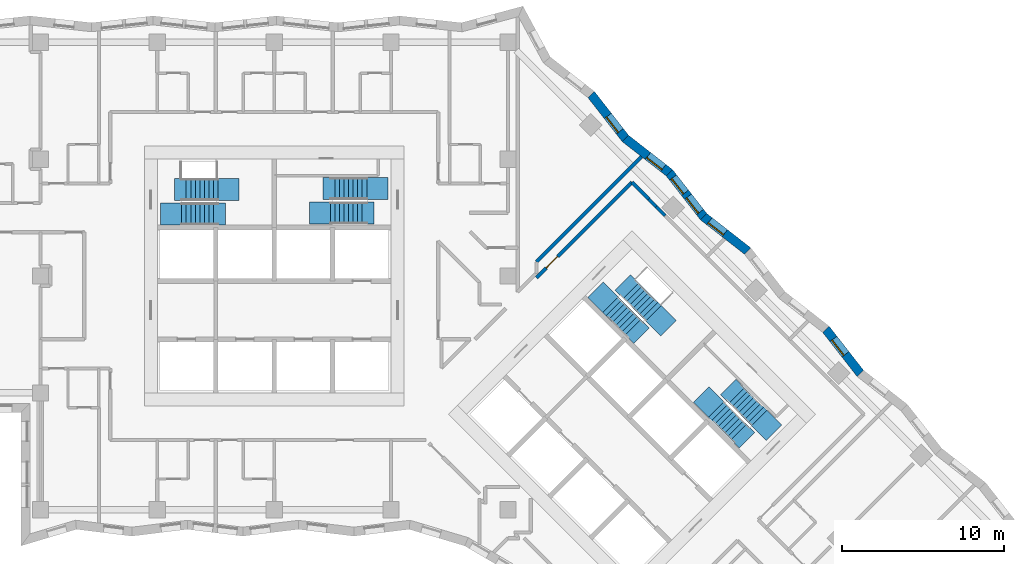
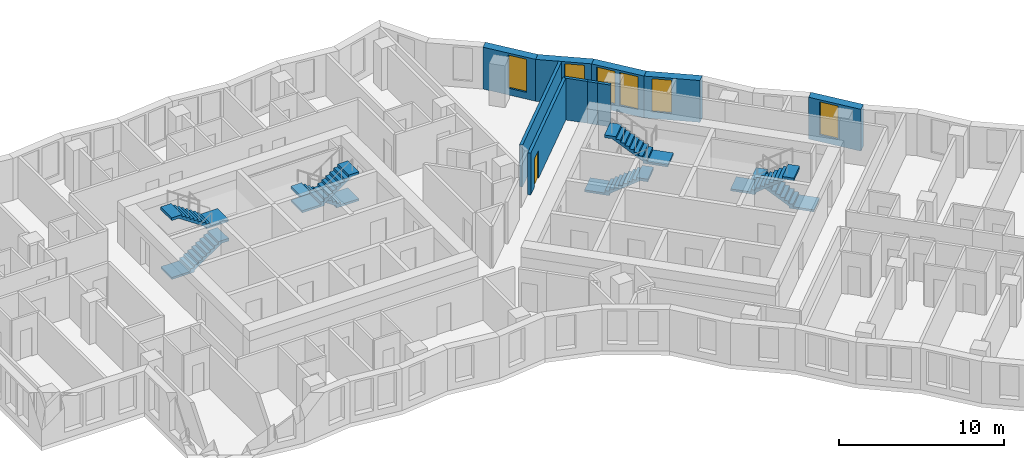
# One storey, part 11 of 13: 10 walls, 8 stair flights, 6 windows, 1 door, 7 openings, 4 elements without a shape of their own.
"""IFC4 building model written with IfcOpenShell, lengths in metres."""

import ifcopenshell
import ifcopenshell.guid

model = None  # the IFC model being written
_history = None  # IfcOwnerHistory: only IFC2X3 demands one
_inside = {}  # id of a spatial element -> (the spatial element, [elements in it])
_under = {}  # id of a project, library or spatial element -> (it, [spatial elements below it])
_declared = {}  # id of a project -> (the project, [libraries it declares])
_typed = {}  # id of a type object -> (the type object, [elements of that type])
_made_of = {}  # id of a material, layer set ... -> (it, [elements and type objects made of it])


def new_model(schema):
    """Start an empty IFC model of exactly this schema.

    Asked for "IFC4X3", IfcOpenShell would pick the latest addendum, in which some entities
    have other attributes; the version numbers below select the first issue.
    IFC2X3 requires an IfcOwnerHistory on every rooted entity: one is made here for all.
    """
    global model, _history
    if schema == "IFC4X3":
        model = ifcopenshell.file(schema_version=(4, 3, 0, 0))
    else:
        model = ifcopenshell.file(schema=schema)
    _inside.clear()
    _under.clear()
    _declared.clear()
    _typed.clear()
    _made_of.clear()
    _history = None
    if model.schema == "IFC2X3":
        org = make("IfcOrganization", Name="unknown")
        user = make(
            "IfcPersonAndOrganization",
            ThePerson=make("IfcPerson", FamilyName="unknown"),
            TheOrganization=org,
        )
        app = make(
            "IfcApplication",
            ApplicationDeveloper=org,
            Version="unknown",
            ApplicationFullName="unknown",
            ApplicationIdentifier="unknown",
        )
        _history = make(
            "IfcOwnerHistory",
            OwningUser=user,
            OwningApplication=app,
            ChangeAction="ADDED",
            CreationDate=0,
        )
    return model


def make(cls, **values):
    """One entity of the class cls with the attributes given. An attribute that is None is left unset."""
    return model.create_entity(
        cls, **{name: value for name, value in values.items() if value is not None}
    )


def rooted(cls, **values):
    """An entity with a GlobalId (a new one), such as an element, a storey or a relation."""
    return make(cls, GlobalId=ifcopenshell.guid.new(), OwnerHistory=_history, **values)


def si_unit(unit_type, name, prefix=None):
    """IfcSIUnit, for example si_unit("LENGTHUNIT", "METRE", prefix="MILLI")."""
    return make("IfcSIUnit", UnitType=unit_type, Prefix=prefix, Name=name)


def assignment(units):
    """IfcUnitAssignment: the units of a project."""
    return None if units is None else make("IfcUnitAssignment", Units=units)


def point(xyz):
    """IfcCartesianPoint."""
    return None if xyz is None else make("IfcCartesianPoint", Coordinates=xyz)


def direction(xyz):
    """IfcDirection."""
    return None if xyz is None else make("IfcDirection", DirectionRatios=xyz)


def frame(location, z_axis=None, x_axis=None):
    """IfcAxis2Placement3D, a coordinate frame: its origin and axes. An axis left out is left unset."""
    return make(
        "IfcAxis2Placement3D",
        Location=point(location),
        Axis=direction(z_axis),
        RefDirection=direction(x_axis),
    )


def frame_2d(location, x_axis=None):
    """IfcAxis2Placement2D, a coordinate frame in the plane: its origin and x axis."""
    return make(
        "IfcAxis2Placement2D", Location=point(location), RefDirection=direction(x_axis)
    )


def origin():
    """The frame at (0, 0, 0) with its axes left unset."""
    return frame((0.0, 0.0, 0.0))


def place(relative_to, where):
    """IfcLocalPlacement: puts the frame where relative to a parent placement (None: the world)."""
    return make(
        "IfcLocalPlacement", PlacementRelTo=relative_to, RelativePlacement=where
    )


def context(
    kind, dimensions, precision=None, world=None, true_north=None, identifier=None
):
    """IfcGeometricRepresentationContext, for example the 3D "Model" context."""
    return make(
        "IfcGeometricRepresentationContext",
        ContextIdentifier=identifier,
        ContextType=kind,
        CoordinateSpaceDimension=dimensions,
        Precision=precision,
        WorldCoordinateSystem=world,
        TrueNorth=true_north,
    )


def subcontext(parent, identifier, kind, view, scale=None):
    """IfcGeometricRepresentationSubContext, for example "Body" below "Model"."""
    return make(
        "IfcGeometricRepresentationSubContext",
        ContextIdentifier=identifier,
        ContextType=kind,
        ParentContext=parent,
        TargetScale=scale,
        TargetView=view,
    )


def project(units=None, contexts=None):
    """IfcProject with its units and contexts."""
    return rooted(
        "IfcProject",
        Name="project",
        RepresentationContexts=contexts,
        UnitsInContext=assignment(units),
    )


def spatial(cls, under=None, at=None, **own):
    """A site, building, storey or space (cls), placed at a placement, below another one or the project."""
    s = rooted(cls, ObjectPlacement=at, **own)
    if under is not None:
        _under.setdefault(under.id(), (under, []))[1].append(s)
    return s


def polyline(points):
    """IfcPolyline through the points."""
    return make("IfcPolyline", Points=[point(p) for p in points])


def profile(cls, at=None, kind="AREA", **sizes):
    """A parametric profile (cls). Its sizes go by their IFC names, for example OverallWidth=200.0."""
    return make(cls, ProfileType=kind, Position=at, **sizes)


def rectangle(**sizes):
    """IfcRectangleProfileDef."""
    return profile("IfcRectangleProfileDef", **sizes)


def outline(outer, holes=None, kind="AREA"):
    """IfcArbitraryClosedProfileDef: a profile drawn as a closed curve; with holes, ...WithVoids."""
    if holes is None:
        return make("IfcArbitraryClosedProfileDef", ProfileType=kind, OuterCurve=outer)
    return make(
        "IfcArbitraryProfileDefWithVoids",
        ProfileType=kind,
        OuterCurve=outer,
        InnerCurves=holes,
    )


def extrude(swept, where, along, depth):
    """IfcExtrudedAreaSolid: the profile swept, set in the frame where, extruded along a direction by depth."""
    return make(
        "IfcExtrudedAreaSolid",
        SweptArea=swept,
        Position=where,
        ExtrudedDirection=direction(along),
        Depth=depth,
    )


def shape(context_of_items, identifier, shape_type, items):
    """IfcShapeRepresentation: the items that make up one representation, for example the "Body"."""
    return make(
        "IfcShapeRepresentation",
        ContextOfItems=context_of_items,
        RepresentationIdentifier=identifier,
        RepresentationType=shape_type,
        Items=items,
    )


def material(Name=None, Category=None):
    """IfcMaterial."""
    return make("IfcMaterial", Name=Name, Category=Category)


def layer(
    of_material, thickness, ventilated=None, Name=None, Category=None, Priority=None
):
    """IfcMaterialLayer: one layer of a wall or slab, of a material (None: an air gap)."""
    return make(
        "IfcMaterialLayer",
        Material=of_material,
        LayerThickness=thickness,
        IsVentilated=ventilated,
        Name=Name,
        Category=Category,
        Priority=Priority,
    )


def layer_set(layers, Name=None):
    """IfcMaterialLayerSet."""
    return make("IfcMaterialLayerSet", MaterialLayers=layers, LayerSetName=Name)


def made_of(thing, what):
    """Note that an element or type object is made of a material, layer set ...; save() writes the relation."""
    if what is not None:
        _made_of.setdefault(what.id(), (what, []))[1].append(thing)
    return thing


def type_object(cls, material=None, **own):
    """A type object (cls), such as IfcWallType, which elements share."""
    return made_of(rooted(cls, **own), material)


def element(
    cls,
    number,
    at=None,
    inside=None,
    cuts=None,
    type_object=None,
    material=None,
    context=None,
    identifier="Body",
    shape_type=None,
    held_by="IfcProductDefinitionShape",
    body=None,
    shapes=None,
    **own,
):
    """One element of the class cls, such as IfcWall. Its Tag is "e" and its number.

    at: its placement. inside: the storey or other place that contains it. cuts: it is an
    opening in that element (IfcRelVoidsElement). A single representation is given by context,
    identifier, shape_type and body (its items); several are given by shapes. held_by: the class
    of the entity that holds the representations. save() writes the other relations.
    """
    e = rooted(cls, Tag="e%d" % number, ObjectPlacement=at, **own)
    if body is not None:
        shapes = [shape(context, identifier, shape_type, body)]
    if shapes is not None:
        e.Representation = make(held_by, Representations=shapes)
    if inside is not None:
        _inside.setdefault(inside.id(), (inside, []))[1].append(e)
    if cuts is not None:
        rooted(
            "IfcRelVoidsElement", RelatingBuildingElement=cuts, RelatedOpeningElement=e
        )
    if type_object is not None:
        _typed.setdefault(type_object.id(), (type_object, []))[1].append(e)
    return made_of(e, material)


def fill(opening, filler):
    """IfcRelFillsElement: the door or window that sits in an opening."""
    return rooted(
        "IfcRelFillsElement",
        RelatingOpeningElement=opening,
        RelatedBuildingElement=filler,
    )


def aggregate(whole, parts):
    """IfcRelAggregates: a whole, such as a stair, and the parts it consists of."""
    return rooted("IfcRelAggregates", RelatingObject=whole, RelatedObjects=parts)


def save(model, path):
    """Write the relations noted so far, then the file.

    IfcRelAggregates (storeys below a building ...), IfcRelContainedInSpatialStructure (elements
    in a storey), IfcRelDefinesByType, IfcRelAssociatesMaterial and IfcRelDeclares: one each for
    every whole, place, type object, material and project.
    """
    for whole, parts in _under.values():
        aggregate(whole, parts)
    for where, things in _inside.values():
        rooted(
            "IfcRelContainedInSpatialStructure",
            RelatedElements=things,
            RelatingStructure=where,
        )
    for kind, things in _typed.values():
        rooted("IfcRelDefinesByType", RelatedObjects=things, RelatingType=kind)
    for what, things in _made_of.values():
        rooted("IfcRelAssociatesMaterial", RelatedObjects=things, RelatingMaterial=what)
    for by, libraries in _declared.values():
        rooted("IfcRelDeclares", RelatingContext=by, RelatedDefinitions=libraries)
    model.write(path)


model = new_model("IFC4")

# Units and contexts
model_context = context("Model", 3, precision=1e-05, world=origin(), true_north=direction((0.0, 1.0)))
body_context = subcontext(model_context, "Body", "Model", "MODEL_VIEW")
ifc_project = project(units=[si_unit("LENGTHUNIT", "METRE"), si_unit("AREAUNIT", "SQUARE_METRE"), si_unit("VOLUMEUNIT", "CUBIC_METRE"), si_unit("PLANEANGLEUNIT", "RADIAN"), si_unit("MASSUNIT", "GRAM", prefix="KILO")], contexts=[model_context])

# Site, building, storey
site_placement = place(None, origin())
site = spatial("IfcSite", under=ifc_project, at=site_placement, CompositionType="ELEMENT")
building_placement = place(site_placement, origin())
building = spatial("IfcBuilding", under=site, at=building_placement, Name="Windrow Commons", CompositionType="ELEMENT")
storey_placement = place(building_placement, frame((0.0, 0.0, 94.8)))
storey = spatial("IfcBuildingStorey", under=building, at=storey_placement, Name="L25", CompositionType="ELEMENT", Elevation=94.8)

# Wall, opening, window
ifc_material_1 = material(Name="Brick masonry, red clay brick", Category="masonry")
ifc_layer_1 = layer(ifc_material_1, 0.55)
ifc_layer_set_1 = layer_set([ifc_layer_1], Name="Brick facade wall 550")
wall_type_1 = type_object("IfcWallType", Name="Brick facade wall 550", PredefinedType="SOLIDWALL", material=ifc_layer_set_1)
wall_1_placement = place(storey_placement, frame((100.8941, 51.6111, 0.0), z_axis=(0.0, 0.0, 1.0), x_axis=(-0.6150929849, 0.788454577, 0.0)))
wall_1 = element("IfcWall", 1, at=wall_1_placement, inside=storey, type_object=wall_type_1, Name="Brick facade wall L25 12", PredefinedType="SOLIDWALL", context=body_context, shape_type="SweptSolid", body=[
    extrude(outline(polyline([(0.034, -0.275), (3.4684, -0.275), (3.4005, 0.275), (-0.034, 0.275), (0.034, -0.275)])), origin(), (0.0, 0.0, 1.0), 3.1),
])
opening_1_placement = place(wall_1_placement, frame((1.4825, 0.0, 0.5)))
opening_1 = element("IfcOpeningElement", 2, at=opening_1_placement, cuts=wall_1, Name="Opening W7D", PredefinedType="OPENING", context=body_context, shape_type="SweptSolid", body=[
    extrude(rectangle(XDim=1.2, YDim=2.45, at=frame_2d((0.6, 1.225))), frame((0.0, 0.285, 0.0), z_axis=(0.0, -1.0, 0.0), x_axis=(1.0, 0.0, 0.0)), (0.0, 0.0, 1.0), 0.57),
])
ifc_material_2 = material(Name="Clear float glass in anodised aluminium frame", Category="aluminium")
window_type = type_object("IfcWindowType", Name="Window W7 notch 1200x2450", PartitioningType="SINGLE_PANEL", PredefinedType="WINDOW", material=ifc_material_2)
window_1_placement = place(opening_1_placement, origin())
window_1 = element("IfcWindow", 3, at=window_1_placement, inside=storey, type_object=window_type, Name="Window L25 12.1", OverallHeight=2.45, OverallWidth=1.2, PartitioningType="SINGLE_PANEL", PredefinedType="WINDOW", context=body_context, shape_type="SweptSolid", body=[
    extrude(rectangle(XDim=1.2, YDim=2.45, at=frame_2d((0.6, 1.225))), frame((0.0, 0.155, 0.0), z_axis=(0.0, -1.0, 0.0), x_axis=(1.0, 0.0, 0.0)), (0.0, 0.0, 1.0), 0.06),
])
fill(opening_1, window_1)

wall_2_placement = place(storey_placement, frame((93.9611, 59.1395, 0.0), z_axis=(0.0, 0.0, 1.0), x_axis=(-0.788454577, 0.6150929849, 0.0)))
wall_2 = element("IfcWall", 4, at=wall_2_placement, inside=storey, type_object=wall_type_1, Name="Brick facade wall L25 15", PredefinedType="SOLIDWALL", context=body_context, shape_type="SweptSolid", body=[
    extrude(outline(polyline([(-0.034, -0.275), (3.4005, -0.275), (3.4684, 0.275), (0.034, 0.275), (-0.034, -0.275)])), origin(), (0.0, 0.0, 1.0), 3.1),
])
opening_2_placement = place(wall_2_placement, frame((1.7888, 0.0, 0.5)))
opening_2 = element("IfcOpeningElement", 5, at=opening_2_placement, cuts=wall_2, Name="Opening W7D", PredefinedType="OPENING", context=body_context, shape_type="SweptSolid", body=[
    extrude(rectangle(XDim=1.2, YDim=2.45, at=frame_2d((0.6, 1.225))), frame((0.0, 0.285, 0.0), z_axis=(0.0, -1.0, 0.0), x_axis=(1.0, 0.0, 0.0)), (0.0, 0.0, 1.0), 0.57),
])
window_2_placement = place(opening_2_placement, origin())
window_2 = element("IfcWindow", 6, at=window_2_placement, inside=storey, type_object=window_type, Name="Window L25 15.1", OverallHeight=2.45, OverallWidth=1.2, PartitioningType="SINGLE_PANEL", PredefinedType="WINDOW", context=body_context, shape_type="SweptSolid", body=[
    extrude(rectangle(XDim=1.2, YDim=2.45, at=frame_2d((0.6, 1.225))), frame((0.0, 0.155, 0.0), z_axis=(0.0, -1.0, 0.0), x_axis=(1.0, 0.0, 0.0)), (0.0, 0.0, 1.0), 0.06),
])
fill(opening_2, window_2)

# Wall, openings, windows
wall_3_placement = place(storey_placement, frame((91.2532, 61.252, 0.0), z_axis=(0.0, 0.0, 1.0), x_axis=(-0.6150929849, 0.788454577, 0.0)))
wall_3 = element("IfcWall", 7, at=wall_3_placement, inside=storey, type_object=wall_type_1, Name="Brick facade wall L25 16", PredefinedType="SOLIDWALL", context=body_context, shape_type="SweptSolid", body=[
    extrude(outline(polyline([(0.034, -0.275), (3.4684, -0.275), (3.4005, 0.275), (-0.034, 0.275), (0.034, -0.275)])), origin(), (0.0, 0.0, 1.0), 3.1),
])
opening_3_placement = place(wall_3_placement, frame((0.368, 0.0, 0.5)))
opening_3 = element("IfcOpeningElement", 8, at=opening_3_placement, cuts=wall_3, Name="Opening W7D", PredefinedType="OPENING", context=body_context, shape_type="SweptSolid", body=[
    extrude(rectangle(XDim=1.2, YDim=2.45, at=frame_2d((0.6, 1.225))), frame((0.0, 0.285, 0.0), z_axis=(0.0, -1.0, 0.0), x_axis=(1.0, 0.0, 0.0)), (0.0, 0.0, 1.0), 0.57),
])
opening_4_placement = place(wall_3_placement, frame((1.8682, 0.0, 0.5)))
opening_4 = element("IfcOpeningElement", 9, at=opening_4_placement, cuts=wall_3, Name="Opening W7D", PredefinedType="OPENING", context=body_context, shape_type="SweptSolid", body=[
    extrude(rectangle(XDim=1.2, YDim=2.45, at=frame_2d((0.6, 1.225))), frame((0.0, 0.285, 0.0), z_axis=(0.0, -1.0, 0.0), x_axis=(1.0, 0.0, 0.0)), (0.0, 0.0, 1.0), 0.57),
])
window_3_placement = place(opening_3_placement, origin())
window_3 = element("IfcWindow", 10, at=window_3_placement, inside=storey, type_object=window_type, Name="Window L25 16.1", OverallHeight=2.45, OverallWidth=1.2, PartitioningType="SINGLE_PANEL", PredefinedType="WINDOW", context=body_context, shape_type="SweptSolid", body=[
    extrude(rectangle(XDim=1.2, YDim=2.45, at=frame_2d((0.6, 1.225))), frame((0.0, 0.155, 0.0), z_axis=(0.0, -1.0, 0.0), x_axis=(1.0, 0.0, 0.0)), (0.0, 0.0, 1.0), 0.06),
])
fill(opening_3, window_3)
window_4_placement = place(opening_4_placement, origin())
window_4 = element("IfcWindow", 11, at=window_4_placement, inside=storey, type_object=window_type, Name="Window L25 16.2", OverallHeight=2.45, OverallWidth=1.2, PartitioningType="SINGLE_PANEL", PredefinedType="WINDOW", context=body_context, shape_type="SweptSolid", body=[
    extrude(rectangle(XDim=1.2, YDim=2.45, at=frame_2d((0.6, 1.225))), frame((0.0, 0.155, 0.0), z_axis=(0.0, -1.0, 0.0), x_axis=(1.0, 0.0, 0.0)), (0.0, 0.0, 1.0), 0.06),
])
fill(opening_4, window_4)

# Wall, opening, window
wall_4_placement = place(storey_placement, frame((89.1407, 63.9599, 0.0), z_axis=(0.0, 0.0, 1.0), x_axis=(-0.788454577, 0.6150929849, 0.0)))
wall_4 = element("IfcWall", 12, at=wall_4_placement, inside=storey, type_object=wall_type_1, Name="Brick facade wall L25 17", PredefinedType="SOLIDWALL", context=body_context, shape_type="SweptSolid", body=[
    extrude(outline(polyline([(-0.034, -0.275), (3.4005, -0.275), (3.4684, 0.275), (0.034, 0.275), (-0.034, -0.275)])), origin(), (0.0, 0.0, 1.0), 3.1),
])
opening_5_placement = place(wall_4_placement, frame((0.4814, 0.0, 0.5)))
opening_5 = element("IfcOpeningElement", 13, at=opening_5_placement, cuts=wall_4, Name="Opening W7D", PredefinedType="OPENING", context=body_context, shape_type="SweptSolid", body=[
    extrude(rectangle(XDim=1.2, YDim=2.45, at=frame_2d((0.6, 1.225))), frame((0.0, 0.285, 0.0), z_axis=(0.0, -1.0, 0.0), x_axis=(1.0, 0.0, 0.0)), (0.0, 0.0, 1.0), 0.57),
])
window_5_placement = place(opening_5_placement, origin())
window_5 = element("IfcWindow", 14, at=window_5_placement, inside=storey, type_object=window_type, Name="Window L25 17.1", OverallHeight=2.45, OverallWidth=1.2, PartitioningType="SINGLE_PANEL", PredefinedType="WINDOW", context=body_context, shape_type="SweptSolid", body=[
    extrude(rectangle(XDim=1.2, YDim=2.45, at=frame_2d((0.6, 1.225))), frame((0.0, 0.155, 0.0), z_axis=(0.0, -1.0, 0.0), x_axis=(1.0, 0.0, 0.0)), (0.0, 0.0, 1.0), 0.06),
])
fill(opening_5, window_5)

wall_5_placement = place(storey_placement, frame((86.4328, 66.0724, 0.0), z_axis=(0.0, 0.0, 1.0), x_axis=(-0.6150788643, 0.7884655926, 0.0)))
wall_5 = element("IfcWall", 15, at=wall_5_placement, inside=storey, type_object=wall_type_1, Name="Brick facade wall L25 18", PredefinedType="SOLIDWALL", context=body_context, shape_type="SweptSolid", body=[
    extrude(outline(polyline([(0.034, -0.275), (3.4684, -0.275), (3.4005, 0.275), (-0.034, 0.275), (0.034, -0.275)])), origin(), (0.0, 0.0, 1.0), 3.1),
])
opening_6_placement = place(wall_5_placement, frame((0.5609, 0.0, 0.5)))
opening_6 = element("IfcOpeningElement", 16, at=opening_6_placement, cuts=wall_5, Name="Opening W7D", PredefinedType="OPENING", context=body_context, shape_type="SweptSolid", body=[
    extrude(rectangle(XDim=1.2, YDim=2.45, at=frame_2d((0.6, 1.225))), frame((0.0, 0.285, 0.0), z_axis=(0.0, -1.0, 0.0), x_axis=(1.0, 0.0, 0.0)), (0.0, 0.0, 1.0), 0.57),
])
window_6_placement = place(opening_6_placement, origin())
window_6 = element("IfcWindow", 17, at=window_6_placement, inside=storey, type_object=window_type, Name="Window L25 18.1", OverallHeight=2.45, OverallWidth=1.2, PartitioningType="SINGLE_PANEL", PredefinedType="WINDOW", context=body_context, shape_type="SweptSolid", body=[
    extrude(rectangle(XDim=1.2, YDim=2.45, at=frame_2d((0.6, 1.225))), frame((0.0, 0.155, 0.0), z_axis=(0.0, -1.0, 0.0), x_axis=(1.0, 0.0, 0.0)), (0.0, 0.0, 1.0), 0.06),
])
fill(opening_6, window_6)

# Wall, opening, door
ifc_material_3 = material(Name="Blockwork partition", Category="masonry")
ifc_layer_2 = layer(ifc_material_3, 0.2)
ifc_layer_set_2 = layer_set([ifc_layer_2], Name="IW-CORRIDOR-200")
wall_type_2 = type_object("IfcWallType", Name="IW-CORRIDOR-200", PredefinedType="PARTITIONING", material=ifc_layer_set_2)
wall_6_placement = place(storey_placement, frame((80.9509, 57.4891, 0.0), z_axis=(0.0, 0.0, 1.0), x_axis=(0.7071067812, 0.7071067812, 0.0)))
wall_6 = element("IfcWall", 18, at=wall_6_placement, inside=storey, type_object=wall_type_2, Name="W-L25-W012", PredefinedType="PARTITIONING", context=body_context, shape_type="SweptSolid", body=[
    extrude(rectangle(XDim=8.3212, YDim=0.2, at=frame_2d((4.1606, 0.0))), origin(), (0.0, 0.0, 1.0), 3.1),
])
opening_7_placement = place(wall_6_placement, frame((0.8507, 0.0, 0.0)))
opening_7 = element("IfcOpeningElement", 19, at=opening_7_placement, cuts=wall_6, Name="Opening D310F", PredefinedType="OPENING", context=body_context, shape_type="SweptSolid", body=[
    extrude(rectangle(XDim=1.0, YDim=2.1, at=frame_2d((0.5, 1.05))), frame((0.0, 0.11, 0.0), z_axis=(0.0, -1.0, 0.0), x_axis=(1.0, 0.0, 0.0)), (0.0, 0.0, 1.0), 0.22),
])
ifc_material_4 = material(Name="Timber door leaf", Category="wood")
door_type = type_object("IfcDoorType", Name="DT-AMENITY-1000", OperationType="SINGLE_SWING_LEFT", PredefinedType="DOOR", material=ifc_material_4)
door_placement = place(opening_7_placement, origin())
door = element("IfcDoor", 20, at=door_placement, inside=storey, type_object=door_type, Name="D-L25-D044", OperationType="SINGLE_SWING_RIGHT", OverallHeight=2.1, OverallWidth=1.0, PredefinedType="DOOR", context=body_context, shape_type="SweptSolid", body=[
    extrude(rectangle(XDim=1.0, YDim=2.1, at=frame_2d((0.5, 1.05))), frame((0.0, 0.025, 0.0), z_axis=(0.0, -1.0, 0.0), x_axis=(1.0, 0.0, 0.0)), (0.0, 0.0, 1.0), 0.05),
])
fill(opening_7, door)

# Walls
wall_7_placement = place(storey_placement, frame((86.8392, 63.3732, 0.0), z_axis=(0.0, 0.0, 1.0), x_axis=(0.7077963046, -0.7064165847, 0.0)))
element("IfcWall", 21, at=wall_7_placement, inside=storey, type_object=wall_type_2, Name="W-L25-W164", PredefinedType="PARTITIONING", context=body_context, shape_type="SweptSolid", body=[
    extrude(rectangle(XDim=1.4496, YDim=0.2, at=frame_2d((0.7248, 0.0))), origin(), (0.0, 0.0, 1.0), 3.1),
])
wall_8_placement = place(storey_placement, frame((88.3188, 61.8848, 0.0), z_axis=(0.0, 0.0, 1.0), x_axis=(0.7071067812, -0.7071067812, 0.0)))
element("IfcWall", 22, at=wall_8_placement, inside=storey, type_object=wall_type_2, Name="W-L25-W186", PredefinedType="PARTITIONING", context=body_context, shape_type="SweptSolid", body=[
    extrude(rectangle(XDim=0.792, YDim=0.2, at=frame_2d((0.396, 0.0))), origin(), (0.0, 0.0, 1.0), 3.1),
])
wall_9_placement = place(storey_placement, frame((87.8605, 62.3445, 0.0), z_axis=(0.0, 0.0, 1.0), x_axis=(0.7055645691, -0.708645637, 0.0)))
element("IfcWall", 23, at=wall_9_placement, inside=storey, type_object=wall_type_2, Name="W-L25-W191", PredefinedType="PARTITIONING", context=body_context, shape_type="SweptSolid", body=[
    extrude(rectangle(XDim=0.6491, YDim=0.2, at=frame_2d((0.3246, 0.0))), origin(), (0.0, 0.0, 1.0), 3.1),
])
ifc_material_5 = material(Name="Blockwork partition", Category="masonry")
ifc_layer_3 = layer(ifc_material_5, 0.2)
ifc_layer_set_3 = layer_set([ifc_layer_3], Name="IW-PARTY-200")
wall_type_3 = type_object("IfcWallType", Name="IW-PARTY-200", PredefinedType="PARTITIONING", material=ifc_layer_set_3)
wall_10_placement = place(storey_placement, frame((80.9489, 58.4771, 0.0), z_axis=(0.0, 0.0, 1.0), x_axis=(0.7071122423, 0.7071013201, 0.0)))
element("IfcWall", 24, at=wall_10_placement, inside=storey, type_object=wall_type_3, Name="W-L25-W009", PredefinedType="PARTITIONING", context=body_context, shape_type="SweptSolid", body=[
    extrude(rectangle(XDim=9.1557, YDim=0.2, at=frame_2d((4.5778, 0.0))), origin(), (0.0, 0.0, 1.0), 3.1),
])

# Stair, stair flights
ifc_material_6 = material(Name="Concrete C40/50", Category="concrete")
stair_type = type_object("IfcStairType", Name="Core stair", PredefinedType="HALF_TURN_STAIR", material=ifc_material_6)
placement = place(storey_placement, origin())
stair_1 = element("IfcStair", 25, at=placement, inside=storey, type_object=stair_type, Name="L25 Exit stair A1 core A", PredefinedType="HALF_TURN_STAIR")
ifc_material_7 = material(Name="Concrete C40/50", Category="concrete")
stair_flight_type = type_object("IfcStairFlightType", Name="Core stair flight", PredefinedType="STRAIGHT", material=ifc_material_7)
stair_flight_1_placement = place(storey_placement, frame((59.1, 61.425, 0.0), z_axis=(0.0, 0.0, 1.0), x_axis=(1.0, 0.0, 0.0)))
stair_flight_1 = element("IfcStairFlight", 26, at=stair_flight_1_placement, type_object=stair_flight_type, Name="ST-A1 flight 1", NumberOfRisers=9, NumberOfTreads=8, PredefinedType="STRAIGHT", RiserHeight=0.188888889, TreadLength=0.28, context=body_context, shape_type="SweptSolid", body=[
    extrude(outline(polyline([(-1.3, -0.15), (-1.3, 0.0), (0.0, 0.0), (0.0, 0.1889), (0.28, 0.1889), (0.28, 0.3778), (0.56, 0.3778), (0.56, 0.5667), (0.84, 0.5667), (0.84, 0.7556), (1.12, 0.7556), (1.12, 0.9444), (1.4, 0.9444), (1.4, 1.1333), (1.68, 1.1333), (1.68, 1.3222), (1.96, 1.3222), (1.96, 1.5111), (2.24, 1.5111), (2.69, 1.5111), (2.69, 1.3111), (2.24, 1.3111), (2.24, 1.3302), (0.2682, 0.0), (0.2682, -0.15), (-1.3, -0.15)])), frame((0.0, 0.675, 0.0), z_axis=(0.0, -1.0, 0.0), x_axis=(1.0, 0.0, 0.0)), (0.0, 0.0, 1.0), 1.35),
])
stair_flight_2_placement = place(storey_placement, frame((61.34, 62.925, 1.7), z_axis=(0.0, 0.0, 1.0), x_axis=(-1.0, 0.0, 0.0)))
stair_flight_2 = element("IfcStairFlight", 27, at=stair_flight_2_placement, type_object=stair_flight_type, Name="ST-A1 flight 2", NumberOfRisers=9, NumberOfTreads=8, PredefinedType="STRAIGHT", RiserHeight=0.188888889, TreadLength=0.28, context=body_context, shape_type="SweptSolid", body=[
    extrude(outline(polyline([(-1.3, -0.15), (-1.3, 0.0), (0.0, 0.0), (0.0, 0.1889), (0.28, 0.1889), (0.28, 0.3778), (0.56, 0.3778), (0.56, 0.5667), (0.84, 0.5667), (0.84, 0.7556), (1.12, 0.7556), (1.12, 0.9444), (1.4, 0.9444), (1.4, 1.1333), (1.68, 1.1333), (1.68, 1.3222), (1.96, 1.3222), (1.96, 1.5111), (2.24, 1.5111), (2.69, 1.5111), (2.69, 1.3111), (2.24, 1.3111), (2.24, 1.3302), (0.2682, 0.0), (0.2682, -0.15), (-1.3, -0.15)])), frame((0.0, 0.675, 0.0), z_axis=(0.0, -1.0, 0.0), x_axis=(1.0, 0.0, 0.0)), (0.0, 0.0, 1.0), 1.35),
])
aggregate(stair_1, [stair_flight_1, stair_flight_2])

stair_2 = element("IfcStair", 28, at=placement, inside=storey, type_object=stair_type, Name="L25 Exit stair A2 core A", PredefinedType="HALF_TURN_STAIR")
stair_flight_3_placement = place(storey_placement, frame((70.5, 62.98, 0.0), z_axis=(0.0, 0.0, 1.0), x_axis=(-1.0, 0.0, 0.0)))
stair_flight_3 = element("IfcStairFlight", 29, at=stair_flight_3_placement, type_object=stair_flight_type, Name="ST-A2 flight 1", NumberOfRisers=9, NumberOfTreads=8, PredefinedType="STRAIGHT", RiserHeight=0.188888889, TreadLength=0.28, context=body_context, shape_type="SweptSolid", body=[
    extrude(outline(polyline([(-1.3, -0.15), (-1.3, 0.0), (0.0, 0.0), (0.0, 0.1889), (0.28, 0.1889), (0.28, 0.3778), (0.56, 0.3778), (0.56, 0.5667), (0.84, 0.5667), (0.84, 0.7556), (1.12, 0.7556), (1.12, 0.9444), (1.4, 0.9444), (1.4, 1.1333), (1.68, 1.1333), (1.68, 1.3222), (1.96, 1.3222), (1.96, 1.5111), (2.24, 1.5111), (2.69, 1.5111), (2.69, 1.3111), (2.24, 1.3111), (2.24, 1.3302), (0.2682, 0.0), (0.2682, -0.15), (-1.3, -0.15)])), frame((0.0, 0.675, 0.0), z_axis=(0.0, -1.0, 0.0), x_axis=(1.0, 0.0, 0.0)), (0.0, 0.0, 1.0), 1.35),
])
stair_flight_4_placement = place(storey_placement, frame((68.26, 61.48, 1.7), z_axis=(0.0, 0.0, 1.0), x_axis=(1.0, 0.0, 0.0)))
stair_flight_4 = element("IfcStairFlight", 30, at=stair_flight_4_placement, type_object=stair_flight_type, Name="ST-A2 flight 2", NumberOfRisers=9, NumberOfTreads=8, PredefinedType="STRAIGHT", RiserHeight=0.188888889, TreadLength=0.28, context=body_context, shape_type="SweptSolid", body=[
    extrude(outline(polyline([(-1.3, -0.15), (-1.3, 0.0), (0.0, 0.0), (0.0, 0.1889), (0.28, 0.1889), (0.28, 0.3778), (0.56, 0.3778), (0.56, 0.5667), (0.84, 0.5667), (0.84, 0.7556), (1.12, 0.7556), (1.12, 0.9444), (1.4, 0.9444), (1.4, 1.1333), (1.68, 1.1333), (1.68, 1.3222), (1.96, 1.3222), (1.96, 1.5111), (2.24, 1.5111), (2.69, 1.5111), (2.69, 1.3111), (2.24, 1.3111), (2.24, 1.3302), (0.2682, 0.0), (0.2682, -0.15), (-1.3, -0.15)])), frame((0.0, 0.675, 0.0), z_axis=(0.0, -1.0, 0.0), x_axis=(1.0, 0.0, 0.0)), (0.0, 0.0, 1.0), 1.35),
])
aggregate(stair_2, [stair_flight_3, stair_flight_4])

stair_3 = element("IfcStair", 31, at=placement, inside=storey, type_object=stair_type, Name="L25 Exit stair B1 core B", PredefinedType="HALF_TURN_STAIR")
stair_flight_5_placement = place(storey_placement, frame((85.5109, 55.8249, 0.0), z_axis=(0.0, 0.0, 1.0), x_axis=(0.7071067812, -0.7071067812, 0.0)))
stair_flight_5 = element("IfcStairFlight", 32, at=stair_flight_5_placement, type_object=stair_flight_type, Name="ST-B1 flight 1", NumberOfRisers=9, NumberOfTreads=8, PredefinedType="STRAIGHT", RiserHeight=0.188888889, TreadLength=0.28, context=body_context, shape_type="SweptSolid", body=[
    extrude(outline(polyline([(-1.3, -0.15), (-1.3, 0.0), (0.0, 0.0), (0.0, 0.1889), (0.28, 0.1889), (0.28, 0.3778), (0.56, 0.3778), (0.56, 0.5667), (0.84, 0.5667), (0.84, 0.7556), (1.12, 0.7556), (1.12, 0.9444), (1.4, 0.9444), (1.4, 1.1333), (1.68, 1.1333), (1.68, 1.3222), (1.96, 1.3222), (1.96, 1.5111), (2.24, 1.5111), (2.69, 1.5111), (2.69, 1.3111), (2.24, 1.3111), (2.24, 1.3302), (0.2682, 0.0), (0.2682, -0.15), (-1.3, -0.15)])), frame((0.0, 0.675, 0.0), z_axis=(0.0, -1.0, 0.0), x_axis=(1.0, 0.0, 0.0)), (0.0, 0.0, 1.0), 1.35),
])
stair_flight_6_placement = place(storey_placement, frame((88.1555, 55.3017, 1.7), z_axis=(0.0, 0.0, 1.0), x_axis=(-0.7071067812, 0.7071067812, 0.0)))
stair_flight_6 = element("IfcStairFlight", 33, at=stair_flight_6_placement, type_object=stair_flight_type, Name="ST-B1 flight 2", NumberOfRisers=9, NumberOfTreads=8, PredefinedType="STRAIGHT", RiserHeight=0.188888889, TreadLength=0.28, context=body_context, shape_type="SweptSolid", body=[
    extrude(outline(polyline([(-1.3, -0.15), (-1.3, 0.0), (0.0, 0.0), (0.0, 0.1889), (0.28, 0.1889), (0.28, 0.3778), (0.56, 0.3778), (0.56, 0.5667), (0.84, 0.5667), (0.84, 0.7556), (1.12, 0.7556), (1.12, 0.9444), (1.4, 0.9444), (1.4, 1.1333), (1.68, 1.1333), (1.68, 1.3222), (1.96, 1.3222), (1.96, 1.5111), (2.24, 1.5111), (2.69, 1.5111), (2.69, 1.3111), (2.24, 1.3111), (2.24, 1.3302), (0.2682, 0.0), (0.2682, -0.15), (-1.3, -0.15)])), frame((0.0, 0.675, 0.0), z_axis=(0.0, -1.0, 0.0), x_axis=(1.0, 0.0, 0.0)), (0.0, 0.0, 1.0), 1.35),
])
aggregate(stair_3, [stair_flight_5, stair_flight_6])

stair_4 = element("IfcStair", 34, at=placement, inside=storey, type_object=stair_type, Name="L25 Exit stair B2 core B", PredefinedType="HALF_TURN_STAIR")
stair_flight_7_placement = place(storey_placement, frame((94.6715, 48.8635, 0.0), z_axis=(0.0, 0.0, 1.0), x_axis=(-0.7071067812, 0.7071067812, 0.0)))
stair_flight_7 = element("IfcStairFlight", 35, at=stair_flight_7_placement, type_object=stair_flight_type, Name="ST-B2 flight 1", NumberOfRisers=9, NumberOfTreads=8, PredefinedType="STRAIGHT", RiserHeight=0.188888889, TreadLength=0.28, context=body_context, shape_type="SweptSolid", body=[
    extrude(outline(polyline([(-1.3, -0.15), (-1.3, 0.0), (0.0, 0.0), (0.0, 0.1889), (0.28, 0.1889), (0.28, 0.3778), (0.56, 0.3778), (0.56, 0.5667), (0.84, 0.5667), (0.84, 0.7556), (1.12, 0.7556), (1.12, 0.9444), (1.4, 0.9444), (1.4, 1.1333), (1.68, 1.1333), (1.68, 1.3222), (1.96, 1.3222), (1.96, 1.5111), (2.24, 1.5111), (2.69, 1.5111), (2.69, 1.3111), (2.24, 1.3111), (2.24, 1.3302), (0.2682, 0.0), (0.2682, -0.15), (-1.3, -0.15)])), frame((0.0, 0.675, 0.0), z_axis=(0.0, -1.0, 0.0), x_axis=(1.0, 0.0, 0.0)), (0.0, 0.0, 1.0), 1.35),
])
stair_flight_8_placement = place(storey_placement, frame((92.0269, 49.3867, 1.7), z_axis=(0.0, 0.0, 1.0), x_axis=(0.7071067812, -0.7071067812, 0.0)))
stair_flight_8 = element("IfcStairFlight", 36, at=stair_flight_8_placement, type_object=stair_flight_type, Name="ST-B2 flight 2", NumberOfRisers=9, NumberOfTreads=8, PredefinedType="STRAIGHT", RiserHeight=0.188888889, TreadLength=0.28, context=body_context, shape_type="SweptSolid", body=[
    extrude(outline(polyline([(-1.3, -0.15), (-1.3, 0.0), (0.0, 0.0), (0.0, 0.1889), (0.28, 0.1889), (0.28, 0.3778), (0.56, 0.3778), (0.56, 0.5667), (0.84, 0.5667), (0.84, 0.7556), (1.12, 0.7556), (1.12, 0.9444), (1.4, 0.9444), (1.4, 1.1333), (1.68, 1.1333), (1.68, 1.3222), (1.96, 1.3222), (1.96, 1.5111), (2.24, 1.5111), (2.69, 1.5111), (2.69, 1.3111), (2.24, 1.3111), (2.24, 1.3302), (0.2682, 0.0), (0.2682, -0.15), (-1.3, -0.15)])), frame((0.0, 0.675, 0.0), z_axis=(0.0, -1.0, 0.0), x_axis=(1.0, 0.0, 0.0)), (0.0, 0.0, 1.0), 1.35),
])
aggregate(stair_4, [stair_flight_7, stair_flight_8])

save(model, "model.ifc")
